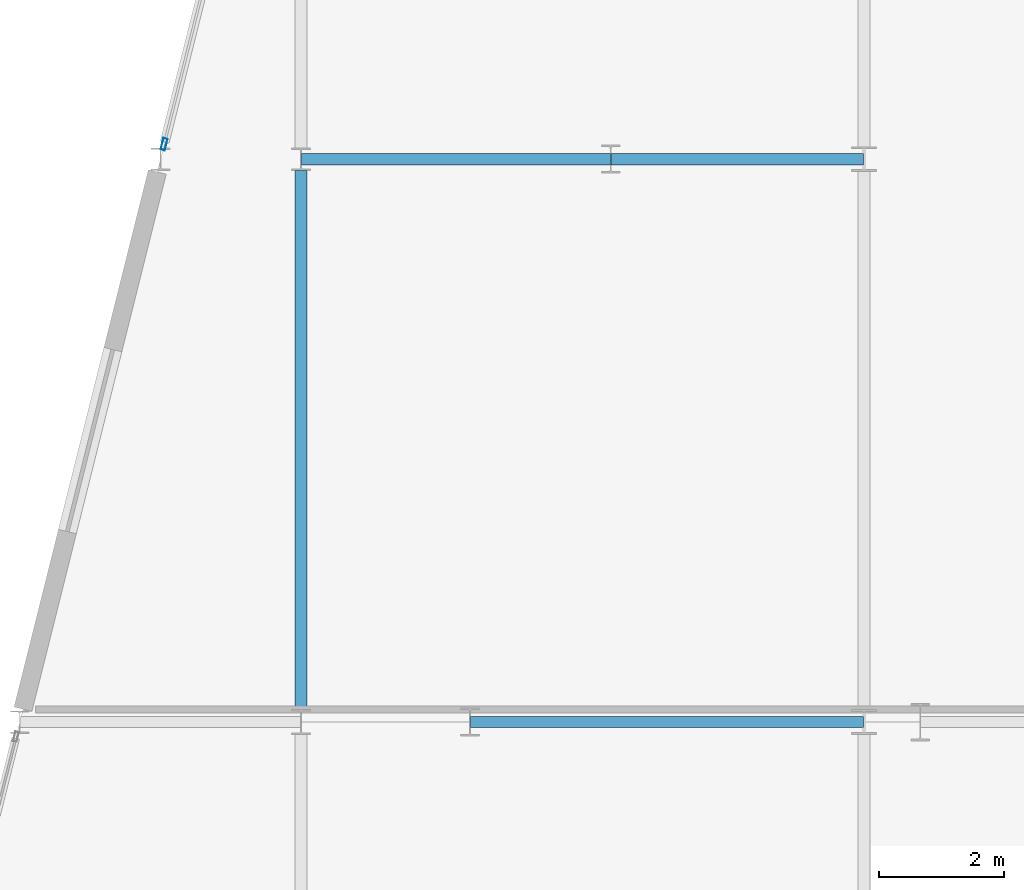
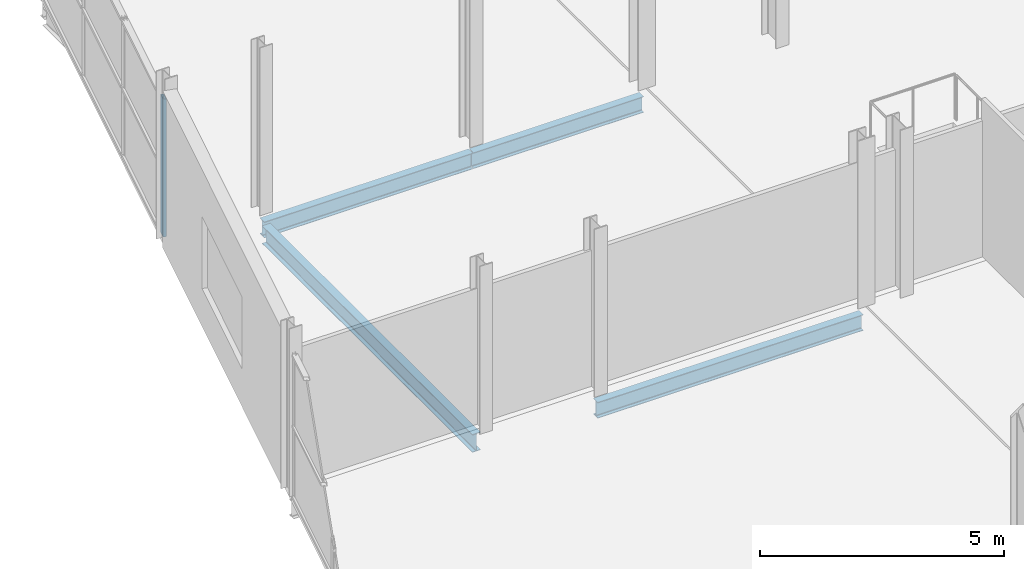
# One storey, part 55 of 103: 4 beams, 1 member, 1 element without a shape of its own.
"""IFC4 building model written with IfcOpenShell, lengths in metres."""

import ifcopenshell
import ifcopenshell.guid

model = None  # the IFC model being written
_history = None  # IfcOwnerHistory: only IFC2X3 demands one
_inside = {}  # id of a spatial element -> (the spatial element, [elements in it])
_under = {}  # id of a project, library or spatial element -> (it, [spatial elements below it])
_declared = {}  # id of a project -> (the project, [libraries it declares])
_typed = {}  # id of a type object -> (the type object, [elements of that type])
_made_of = {}  # id of a material, layer set ... -> (it, [elements and type objects made of it])


def new_model(schema):
    """Start an empty IFC model of exactly this schema.

    Asked for "IFC4X3", IfcOpenShell would pick the latest addendum, in which some entities
    have other attributes; the version numbers below select the first issue.
    IFC2X3 requires an IfcOwnerHistory on every rooted entity: one is made here for all.
    """
    global model, _history
    if schema == "IFC4X3":
        model = ifcopenshell.file(schema_version=(4, 3, 0, 0))
    else:
        model = ifcopenshell.file(schema=schema)
    _inside.clear()
    _under.clear()
    _declared.clear()
    _typed.clear()
    _made_of.clear()
    _history = None
    if model.schema == "IFC2X3":
        org = make("IfcOrganization", Name="unknown")
        user = make(
            "IfcPersonAndOrganization",
            ThePerson=make("IfcPerson", FamilyName="unknown"),
            TheOrganization=org,
        )
        app = make(
            "IfcApplication",
            ApplicationDeveloper=org,
            Version="unknown",
            ApplicationFullName="unknown",
            ApplicationIdentifier="unknown",
        )
        _history = make(
            "IfcOwnerHistory",
            OwningUser=user,
            OwningApplication=app,
            ChangeAction="ADDED",
            CreationDate=0,
        )
    return model


def make(cls, **values):
    """One entity of the class cls with the attributes given. An attribute that is None is left unset."""
    return model.create_entity(
        cls, **{name: value for name, value in values.items() if value is not None}
    )


def rooted(cls, **values):
    """An entity with a GlobalId (a new one), such as an element, a storey or a relation."""
    return make(cls, GlobalId=ifcopenshell.guid.new(), OwnerHistory=_history, **values)


def si_unit(unit_type, name, prefix=None):
    """IfcSIUnit, for example si_unit("LENGTHUNIT", "METRE", prefix="MILLI")."""
    return make("IfcSIUnit", UnitType=unit_type, Prefix=prefix, Name=name)


def assignment(units):
    """IfcUnitAssignment: the units of a project."""
    return None if units is None else make("IfcUnitAssignment", Units=units)


def point(xyz):
    """IfcCartesianPoint."""
    return None if xyz is None else make("IfcCartesianPoint", Coordinates=xyz)


def direction(xyz):
    """IfcDirection."""
    return None if xyz is None else make("IfcDirection", DirectionRatios=xyz)


def frame(location, z_axis=None, x_axis=None):
    """IfcAxis2Placement3D, a coordinate frame: its origin and axes. An axis left out is left unset."""
    return make(
        "IfcAxis2Placement3D",
        Location=point(location),
        Axis=direction(z_axis),
        RefDirection=direction(x_axis),
    )


def frame_2d(location, x_axis=None):
    """IfcAxis2Placement2D, a coordinate frame in the plane: its origin and x axis."""
    return make(
        "IfcAxis2Placement2D", Location=point(location), RefDirection=direction(x_axis)
    )


def origin():
    """The frame at (0, 0, 0) with its axes left unset."""
    return frame((0.0, 0.0, 0.0))


def origin_2d():
    """The frame at (0, 0) in the plane with its x axis left unset."""
    return frame_2d((0.0, 0.0))


def place(relative_to, where):
    """IfcLocalPlacement: puts the frame where relative to a parent placement (None: the world)."""
    return make(
        "IfcLocalPlacement", PlacementRelTo=relative_to, RelativePlacement=where
    )


def context(
    kind, dimensions, precision=None, world=None, true_north=None, identifier=None
):
    """IfcGeometricRepresentationContext, for example the 3D "Model" context."""
    return make(
        "IfcGeometricRepresentationContext",
        ContextIdentifier=identifier,
        ContextType=kind,
        CoordinateSpaceDimension=dimensions,
        Precision=precision,
        WorldCoordinateSystem=world,
        TrueNorth=true_north,
    )


def subcontext(parent, identifier, kind, view, scale=None):
    """IfcGeometricRepresentationSubContext, for example "Body" below "Model"."""
    return make(
        "IfcGeometricRepresentationSubContext",
        ContextIdentifier=identifier,
        ContextType=kind,
        ParentContext=parent,
        TargetScale=scale,
        TargetView=view,
    )


def project(units=None, contexts=None):
    """IfcProject with its units and contexts."""
    return rooted(
        "IfcProject",
        Name="project",
        RepresentationContexts=contexts,
        UnitsInContext=assignment(units),
    )


def spatial(cls, under=None, at=None, **own):
    """A site, building, storey or space (cls), placed at a placement, below another one or the project."""
    s = rooted(cls, ObjectPlacement=at, **own)
    if under is not None:
        _under.setdefault(under.id(), (under, []))[1].append(s)
    return s


def profile(cls, at=None, kind="AREA", **sizes):
    """A parametric profile (cls). Its sizes go by their IFC names, for example OverallWidth=200.0."""
    return make(cls, ProfileType=kind, Position=at, **sizes)


def hollow_rectangle(**sizes):
    """IfcRectangleHollowProfileDef."""
    return profile("IfcRectangleHollowProfileDef", **sizes)


def i_section(**sizes):
    """IfcIShapeProfileDef."""
    return profile("IfcIShapeProfileDef", **sizes)


def extrude(swept, where, along, depth):
    """IfcExtrudedAreaSolid: the profile swept, set in the frame where, extruded along a direction by depth."""
    return make(
        "IfcExtrudedAreaSolid",
        SweptArea=swept,
        Position=where,
        ExtrudedDirection=direction(along),
        Depth=depth,
    )


def shape(context_of_items, identifier, shape_type, items):
    """IfcShapeRepresentation: the items that make up one representation, for example the "Body"."""
    return make(
        "IfcShapeRepresentation",
        ContextOfItems=context_of_items,
        RepresentationIdentifier=identifier,
        RepresentationType=shape_type,
        Items=items,
    )


def material(Name=None, Category=None):
    """IfcMaterial."""
    return make("IfcMaterial", Name=Name, Category=Category)


def layer(
    of_material, thickness, ventilated=None, Name=None, Category=None, Priority=None
):
    """IfcMaterialLayer: one layer of a wall or slab, of a material (None: an air gap)."""
    return make(
        "IfcMaterialLayer",
        Material=of_material,
        LayerThickness=thickness,
        IsVentilated=ventilated,
        Name=Name,
        Category=Category,
        Priority=Priority,
    )


def layer_set(layers, Name=None):
    """IfcMaterialLayerSet."""
    return make("IfcMaterialLayerSet", MaterialLayers=layers, LayerSetName=Name)


def material_profile(
    of_material, cross_section, Name=None, Category=None, Priority=None
):
    """IfcMaterialProfile: a cross section and its material."""
    return make(
        "IfcMaterialProfile",
        Name=Name,
        Material=of_material,
        Profile=cross_section,
        Priority=Priority,
        Category=Category,
    )


def profile_set(profiles, Name=None, composite=None):
    """IfcMaterialProfileSet."""
    return make(
        "IfcMaterialProfileSet",
        Name=Name,
        MaterialProfiles=profiles,
        CompositeProfile=composite,
    )


def made_of(thing, what):
    """Note that an element or type object is made of a material, layer set ...; save() writes the relation."""
    if what is not None:
        _made_of.setdefault(what.id(), (what, []))[1].append(thing)
    return thing


def type_object(cls, material=None, **own):
    """A type object (cls), such as IfcWallType, which elements share."""
    return made_of(rooted(cls, **own), material)


def element(
    cls,
    number,
    at=None,
    inside=None,
    cuts=None,
    type_object=None,
    material=None,
    context=None,
    identifier="Body",
    shape_type=None,
    held_by="IfcProductDefinitionShape",
    body=None,
    shapes=None,
    **own,
):
    """One element of the class cls, such as IfcWall. Its Tag is "e" and its number.

    at: its placement. inside: the storey or other place that contains it. cuts: it is an
    opening in that element (IfcRelVoidsElement). A single representation is given by context,
    identifier, shape_type and body (its items); several are given by shapes. held_by: the class
    of the entity that holds the representations. save() writes the other relations.
    """
    e = rooted(cls, Tag="e%d" % number, ObjectPlacement=at, **own)
    if body is not None:
        shapes = [shape(context, identifier, shape_type, body)]
    if shapes is not None:
        e.Representation = make(held_by, Representations=shapes)
    if inside is not None:
        _inside.setdefault(inside.id(), (inside, []))[1].append(e)
    if cuts is not None:
        rooted(
            "IfcRelVoidsElement", RelatingBuildingElement=cuts, RelatedOpeningElement=e
        )
    if type_object is not None:
        _typed.setdefault(type_object.id(), (type_object, []))[1].append(e)
    return made_of(e, material)


def aggregate(whole, parts):
    """IfcRelAggregates: a whole, such as a stair, and the parts it consists of."""
    return rooted("IfcRelAggregates", RelatingObject=whole, RelatedObjects=parts)


def save(model, path):
    """Write the relations noted so far, then the file.

    IfcRelAggregates (storeys below a building ...), IfcRelContainedInSpatialStructure (elements
    in a storey), IfcRelDefinesByType, IfcRelAssociatesMaterial and IfcRelDeclares: one each for
    every whole, place, type object, material and project.
    """
    for whole, parts in _under.values():
        aggregate(whole, parts)
    for where, things in _inside.values():
        rooted(
            "IfcRelContainedInSpatialStructure",
            RelatedElements=things,
            RelatingStructure=where,
        )
    for kind, things in _typed.values():
        rooted("IfcRelDefinesByType", RelatedObjects=things, RelatingType=kind)
    for what, things in _made_of.values():
        rooted("IfcRelAssociatesMaterial", RelatedObjects=things, RelatingMaterial=what)
    for by, libraries in _declared.values():
        rooted("IfcRelDeclares", RelatingContext=by, RelatedDefinitions=libraries)
    model.write(path)


model = new_model("IFC4")

# Units and contexts
model_context = context("Model", 3, precision=1e-05, world=origin(), true_north=direction((0.0, 1.0)))
body_context = subcontext(model_context, "Body", "Model", "MODEL_VIEW")
ifc_project = project(units=[si_unit("LENGTHUNIT", "METRE"), si_unit("AREAUNIT", "SQUARE_METRE"), si_unit("VOLUMEUNIT", "CUBIC_METRE"), si_unit("PLANEANGLEUNIT", "RADIAN"), si_unit("MASSUNIT", "GRAM", prefix="KILO")], contexts=[model_context])

# Site, building, storey
site_placement = place(None, origin())
site = spatial("IfcSite", under=ifc_project, at=site_placement, CompositionType="ELEMENT")
building_placement = place(site_placement, origin())
building = spatial("IfcBuilding", under=site, at=building_placement, Name="Deido Ridge Mobility Hub", CompositionType="ELEMENT")
storey_placement = place(building_placement, frame((0.0, 0.0, 12.60009765625)))
storey = spatial("IfcBuildingStorey", under=building, at=storey_placement, Name="L03", CompositionType="ELEMENT", Elevation=12.60009765625)

# Beams
ifc_material_1 = material(Name="Steel S355J2 EN 10025-2", Category="steel")
ifc_material_profile_1 = material_profile(ifc_material_1, i_section(OverallWidth=0.179931640625, OverallDepth=0.39990234375, WebThickness=0.008544921875, FlangeThickness=0.013427734375, FilletRadius=0.02099609375, at=origin_2d()), Name="IPE 400")
ifc_profile_set_1 = profile_set([ifc_material_profile_1], Name="Steel S355J2 EN 10025-2")
beam_type_1 = type_object("IfcBeamType", Name="BM-IPE400", PredefinedType="BEAM", material=ifc_profile_set_1)
beam_1_placement = place(storey_placement, frame((137.70703125, 36.0, -0.465087890625), z_axis=(1.0, 0.0, 0.0), x_axis=(0.0, 1.0, 0.0)))
element("IfcBeam", 1, at=beam_1_placement, inside=storey, type_object=beam_type_1, Name="Floor beam B5", PredefinedType="BEAM", context=body_context, shape_type="SweptSolid", body=[
    extrude(i_section(OverallWidth=0.179931640625, OverallDepth=0.39990234375, WebThickness=0.008544921875, FlangeThickness=0.013427734375, FilletRadius=0.02099609375, at=origin_2d()), origin(), (0.0, 0.0, 1.0), 6.2841796875),
])
beam_2_placement = place(storey_placement, frame((135.006103515625, 45.0, -0.465087890625), z_axis=(1.0, 0.0, 0.0), x_axis=(0.0, 1.0, 0.0)))
element("IfcBeam", 2, at=beam_2_placement, inside=storey, type_object=beam_type_1, Name="Floor beam B5", PredefinedType="BEAM", context=body_context, shape_type="SweptSolid", body=[
    extrude(i_section(OverallWidth=0.179931640625, OverallDepth=0.39990234375, WebThickness=0.008544921875, FlangeThickness=0.013427734375, FilletRadius=0.02099609375, at=origin_2d()), origin(), (0.0, 0.0, 1.0), 4.93701171875),
])
beam_3_placement = place(storey_placement, frame((139.95703125, 45.0, -0.465087890625), z_axis=(1.0, 0.0, 0.0), x_axis=(0.0, 1.0, 0.0)))
element("IfcBeam", 3, at=beam_3_placement, inside=storey, type_object=beam_type_1, Name="Floor beam B5", PredefinedType="BEAM", context=body_context, shape_type="SweptSolid", body=[
    extrude(i_section(OverallWidth=0.179931640625, OverallDepth=0.39990234375, WebThickness=0.008544921875, FlangeThickness=0.013427734375, FilletRadius=0.02099609375, at=origin_2d()), origin(), (0.0, 0.0, 1.0), 4.0341796875),
])
ifc_material_profile_2 = material_profile(ifc_material_1, i_section(OverallWidth=0.18994140625, OverallDepth=0.449951171875, WebThickness=0.009521484375, FlangeThickness=0.0146484375, FilletRadius=0.02099609375, at=origin_2d()), Name="IPE 450")
ifc_profile_set_2 = profile_set([ifc_material_profile_2], Name="Steel S355J2 EN 10025-2")
beam_type_2 = type_object("IfcBeamType", Name="BM-IPE450", PredefinedType="BEAM", material=ifc_profile_set_2)
beam_4_placement = place(storey_placement, frame((135.0, 36.199951171875, -0.489990234375), z_axis=(0.0, 1.0, 0.0), x_axis=(-1.0, 0.0, 0.0)))
element("IfcBeam", 4, at=beam_4_placement, inside=storey, type_object=beam_type_2, Name="Floor beam B4", PredefinedType="BEAM", context=body_context, shape_type="SweptSolid", body=[
    extrude(i_section(OverallWidth=0.18994140625, OverallDepth=0.449951171875, WebThickness=0.009521484375, FlangeThickness=0.0146484375, FilletRadius=0.02099609375, at=origin_2d()), origin(), (0.0, 0.0, 1.0), 8.6201171875),
])

# Curtain wall, member
ifc_material_2 = material(Name="Anodised aluminium EN AW-6063 T6", Category="aluminium")
ifc_layer = layer(ifc_material_2, 0.239990234375, Name="Anodised aluminium EN AW-6063 T6")
ifc_layer_set = layer_set([ifc_layer], Name="Anodised aluminium EN AW-6063 T6")
curtain_wall_type = type_object("IfcCurtainWallType", Name="CW-UF-6", PredefinedType="USERDEFINED", material=ifc_layer_set)
curtain_wall_placement = place(storey_placement, origin())
curtain_wall = element("IfcCurtainWall", 5, at=curtain_wall_placement, inside=storey, type_object=curtain_wall_type, Name="Unitised curtain wall CW6", ObjectType="UNITISED FACADE", PredefinedType="USERDEFINED")
ifc_material_profile_3 = material_profile(ifc_material_2, hollow_rectangle(XDim=0.070068359375, YDim=0.18994140625, WallThickness=0.00390625, at=origin_2d()), Name="RHS 70x190x4")
ifc_profile_set_3 = profile_set([ifc_material_profile_3], Name="Anodised aluminium EN AW-6063 T6")
member_type = type_object("IfcMemberType", Name="MEM-MUL-70X190", PredefinedType="MULLION", material=ifc_profile_set_3)
member_placement = place(storey_placement, frame((132.8095703125, 45.23876953125, 0.0), z_axis=(0.0, 0.0, 1.0), x_axis=(-0.970143828731, 0.242530310632, 0.0)))
member = element("IfcMember", 6, at=member_placement, type_object=member_type, Name="CW6 mullion 1", PredefinedType="MULLION", context=body_context, shape_type="SweptSolid", body=[
    extrude(hollow_rectangle(XDim=0.070068359375, YDim=0.18994140625, WallThickness=0.00390625, at=origin_2d()), origin(), (0.0, 0.0, 1.0), 3.449951171875),
])
aggregate(curtain_wall, [member])

save(model, "model.ifc")
